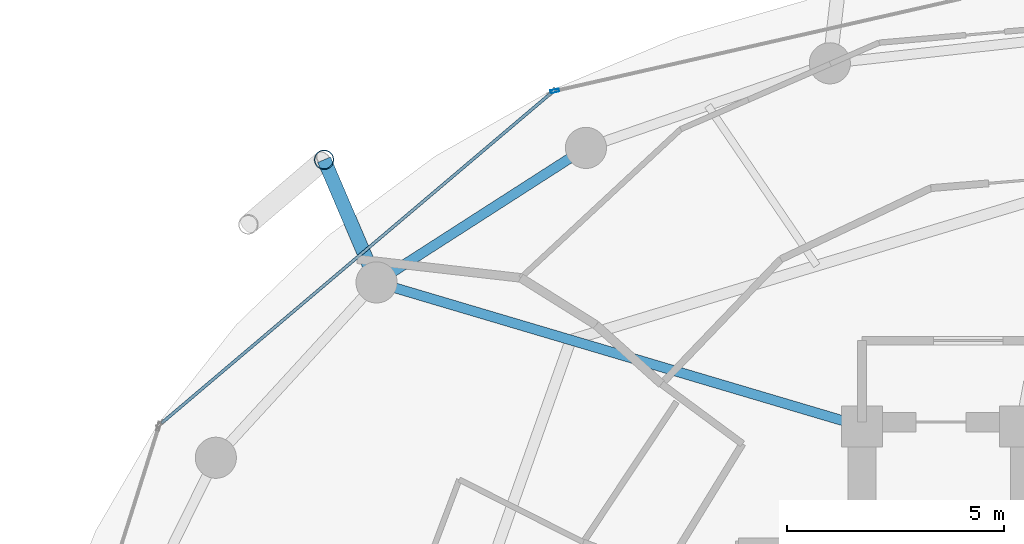
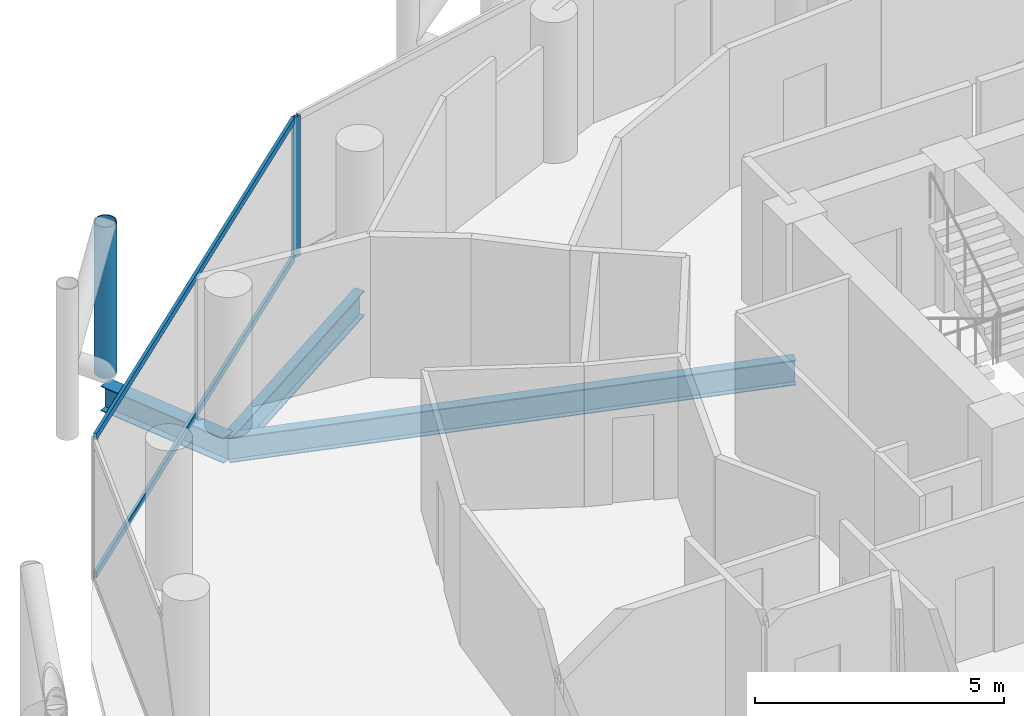
# One storey, part 14 of 26: 4 members, 3 beams, 2 elements without a shape of their own.
"""IFC4 building model written with IfcOpenShell, lengths in metres."""

from ifc_helpers import new_model, si_unit, direction, frame, origin, origin_2d, place, context, subcontext, project, spatial, hollow_rectangle, hollow_circle, i_section, extrude, material, layer, layer_set, material_profile, profile_set, type_object, element, aggregate, save


model = new_model("IFC4")

# Units and contexts
model_context = context("Model", 3, precision=1e-05, world=origin(), true_north=direction((0.0, 1.0)))
body_context = subcontext(model_context, "Body", "Model", "MODEL_VIEW")
ifc_project = project(units=[si_unit("LENGTHUNIT", "METRE"), si_unit("AREAUNIT", "SQUARE_METRE"), si_unit("VOLUMEUNIT", "CUBIC_METRE"), si_unit("PLANEANGLEUNIT", "RADIAN"), si_unit("MASSUNIT", "GRAM", prefix="KILO")], contexts=[model_context])

# Site, building, storey
site_placement = place(None, origin())
site = spatial("IfcSite", under=ifc_project, at=site_placement, CompositionType="ELEMENT")
building_placement = place(site_placement, origin())
building = spatial("IfcBuilding", under=site, at=building_placement, Name="Nuhasar Tower", CompositionType="ELEMENT")
storey_placement = place(building_placement, frame((0.0, 0.0, 151.550048828125)))
storey = spatial("IfcBuildingStorey", under=building, at=storey_placement, Name="L36", CompositionType="ELEMENT", Elevation=151.550048828125)

# Beams
ifc_material_1 = material(Name="Steel S355", Category="steel")
ifc_material_profile_1 = material_profile(ifc_material_1, i_section(OverallWidth=0.22900390625, OverallDepth=0.612060546875, WebThickness=0.011962890625, FlangeThickness=0.01953125, at=origin_2d()), Name="W24X84")
ifc_profile_set_1 = profile_set([ifc_material_profile_1], Name="Steel S355")
beam_type_1 = type_object("IfcBeamType", Name="BM-RAD-W24X84", PredefinedType="BEAM", material=ifc_profile_set_1)
beam_1_placement = place(storey_placement, frame((33.699951171875, 37.300048828125, -0.55615234375), z_axis=(-0.958746492721, 0.284262489076, 0.0), x_axis=(-0.284262489076, -0.958746492721, 0.0)))
element("IfcBeam", 1, at=beam_1_placement, inside=storey, type_object=beam_type_1, Name="L36 Radial Floor Girder 07", PredefinedType="BEAM", context=body_context, shape_type="SweptSolid", body=[
    extrude(i_section(OverallWidth=0.22900390625, OverallDepth=0.612060546875, WebThickness=0.011962890625, FlangeThickness=0.01953125, at=origin_2d()), origin(), (0.0, 0.0, 1.0), 11.693359375),
])
ifc_material_profile_2 = material_profile(ifc_material_1, i_section(OverallWidth=0.22998046875, OverallDepth=0.616943359375, WebThickness=0.01318359375, FlangeThickness=0.022216796875, at=origin_2d()), Name="W24X94")
ifc_profile_set_2 = profile_set([ifc_material_profile_2], Name="Steel S355")
beam_type_2 = type_object("IfcBeamType", Name="BM-RING-W24X94", PredefinedType="SPANDREL", material=ifc_profile_set_2)
beam_2_placement = place(storey_placement, frame((27.324951171875, 43.73095703125, -0.55810546875), z_axis=(-0.841327486207, -0.540525726448, 0.0), x_axis=(0.540525726448, -0.841327486207, 0.0)))
element("IfcBeam", 2, at=beam_2_placement, inside=storey, type_object=beam_type_2, Name="L36 Perimeter Ring Spandrel 09", PredefinedType="SPANDREL", context=body_context, shape_type="SweptSolid", body=[
    extrude(i_section(OverallWidth=0.22998046875, OverallDepth=0.616943359375, WebThickness=0.01318359375, FlangeThickness=0.022216796875, at=origin_2d()), origin(), (0.0, 0.0, 1.0), 5.748046875),
])
ifc_material_profile_3 = material_profile(ifc_material_1, i_section(OverallWidth=0.323974609375, OverallDepth=0.611083984375, WebThickness=0.0126953125, FlangeThickness=0.01904296875, at=origin_2d()), Name="W24X104")
ifc_profile_set_3 = profile_set([ifc_material_profile_3], Name="Steel S355")
beam_type_3 = type_object("IfcBeamType", Name="BM-TIE-W24X104", PredefinedType="BEAM", material=ifc_profile_set_3)
beam_3_placement = place(storey_placement, frame((22.489013671875, 40.6240234375, -0.554931640625), z_axis=(-0.39330721304, 0.919407111225, 0.0), x_axis=(-0.919407111225, -0.39330721304, 0.0)))
element("IfcBeam", 3, at=beam_3_placement, inside=storey, type_object=beam_type_3, Name="L36 Exoskeleton Node Tie Beam 05", PredefinedType="BEAM", context=body_context, shape_type="SweptSolid", body=[
    extrude(i_section(OverallWidth=0.323974609375, OverallDepth=0.611083984375, WebThickness=0.0126953125, FlangeThickness=0.01904296875, at=origin_2d()), origin(), (0.0, 0.0, 1.0), 3.081298828125),
])

# Curtain wall, member
ifc_material_2 = material(Name="Aluminium 6063-T6", Category="aluminium")
ifc_layer = layer(ifc_material_2, 0.199951171875)
ifc_layer_set = layer_set([ifc_layer], Name="Aluminium 6063-T6")
curtain_wall_type = type_object("IfcCurtainWallType", Name="CW-Z2-HTL", PredefinedType="NOTDEFINED", material=ifc_layer_set)
curtain_wall_1_placement = place(storey_placement, origin())
curtain_wall_1 = element("IfcCurtainWall", 4, at=curtain_wall_1_placement, inside=storey, type_object=curtain_wall_type, Name="L36 Unitised Curtain Wall 04", PredefinedType="NOTDEFINED")
ifc_material_profile_4 = material_profile(ifc_material_2, hollow_rectangle(XDim=0.070068359375, YDim=0.199951171875, WallThickness=0.0048828125, at=origin_2d()), Name="CWM-3")
ifc_profile_set_4 = profile_set([ifc_material_profile_4], Name="Aluminium 6063-T6")
member_type_1 = type_object("IfcMemberType", Name="CW-MUL-S3", PredefinedType="MULLION", material=ifc_profile_set_4)
member_1_placement = place(storey_placement, frame((26.604248046875, 45.045654296875, 0.0), z_axis=(0.0, 0.0, 1.0), x_axis=(0.22139729566, -0.975183694221, 0.0)))
member_1 = element("IfcMember", 5, at=member_1_placement, type_object=member_type_1, Name="CW-Z2 mullion 2", PredefinedType="MULLION", context=body_context, shape_type="SweptSolid", body=[
    extrude(hollow_rectangle(XDim=0.070068359375, YDim=0.199951171875, WallThickness=0.0048828125, at=origin_2d()), origin(), (0.0, 0.0, 1.0), 3.449951171875),
])
aggregate(curtain_wall_1, [member_1])

# Curtain wall, members
curtain_wall_2_placement = place(storey_placement, origin())
curtain_wall_2 = element("IfcCurtainWall", 6, at=curtain_wall_2_placement, inside=storey, type_object=curtain_wall_type, Name="L36 Unitised Curtain Wall 05", PredefinedType="NOTDEFINED")
ifc_material_profile_5 = material_profile(ifc_material_2, hollow_rectangle(XDim=0.070068359375, YDim=0.159912109375, WallThickness=0.00439453125, at=origin_2d()), Name="CWT-3")
ifc_profile_set_5 = profile_set([ifc_material_profile_5], Name="Aluminium 6063-T6")
member_type_2 = type_object("IfcMemberType", Name="CW-TRN-S3", PredefinedType="USERDEFINED", material=ifc_profile_set_5)
member_2_placement = place(storey_placement, frame((26.5166015625, 44.99267578125, 0.034912109375), z_axis=(-0.763023915269, -0.646370253592, 0.0), x_axis=(0.646370253592, -0.763023915269, 0.0)))
member_2 = element("IfcMember", 7, at=member_2_placement, type_object=member_type_2, Name="CW-Z2 transom 1.1", ObjectType="TRANSOM", PredefinedType="USERDEFINED", context=body_context, shape_type="SweptSolid", body=[
    extrude(hollow_rectangle(XDim=0.070068359375, YDim=0.159912109375, WallThickness=0.00439453125, at=origin_2d()), origin(), (0.0, 0.0, 1.0), 11.784912109375),
])
member_3_placement = place(storey_placement, frame((26.5166015625, 44.99267578125, 3.4150390625), z_axis=(-0.763023915269, -0.646370253592, 0.0), x_axis=(0.646370253592, -0.763023915269, 0.0)))
member_3 = element("IfcMember", 8, at=member_3_placement, type_object=member_type_2, Name="CW-Z2 transom 1.2", ObjectType="TRANSOM", PredefinedType="USERDEFINED", context=body_context, shape_type="SweptSolid", body=[
    extrude(hollow_rectangle(XDim=0.070068359375, YDim=0.159912109375, WallThickness=0.00439453125, at=origin_2d()), origin(), (0.0, 0.0, 1.0), 11.784912109375),
])
aggregate(curtain_wall_2, [member_2, member_3])

# Member
ifc_material_3 = material(Name="Steel S460", Category="steel")
ifc_material_profile_6 = material_profile(ifc_material_3, hollow_circle(Radius=0.228515625, WallThickness=0.022216796875, at=origin_2d()), Name="HSS457X22.2")
ifc_profile_set_6 = profile_set([ifc_material_profile_6], Name="Steel S460")
member_type_3 = type_object("IfcMemberType", Name="EXO-BRONZE-457", PredefinedType="BRACE", material=ifc_profile_set_6)
member_4_placement = place(storey_placement, frame((21.277099609375, 43.45703125, 0.0), z_axis=(0.0, 0.0, 1.0), x_axis=(1.0, 0.0, 0.0)))
element("IfcMember", 9, at=member_4_placement, inside=storey, type_object=member_type_3, Name="L36 Exoskeleton Chord Column EC-05A", PredefinedType="BRACE", context=body_context, shape_type="SweptSolid", body=[
    extrude(hollow_circle(Radius=0.228515625, WallThickness=0.022216796875, at=origin_2d()), origin(), (0.0, 0.0, 1.0), 3.699951171875),
])

save(model, "model.ifc")
